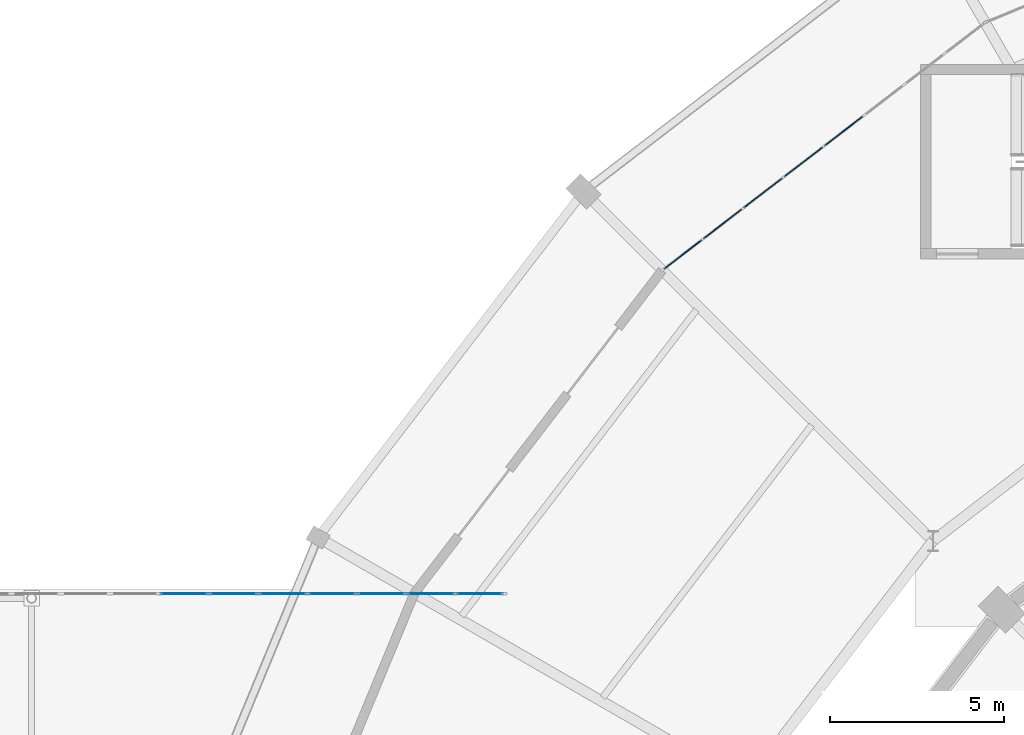
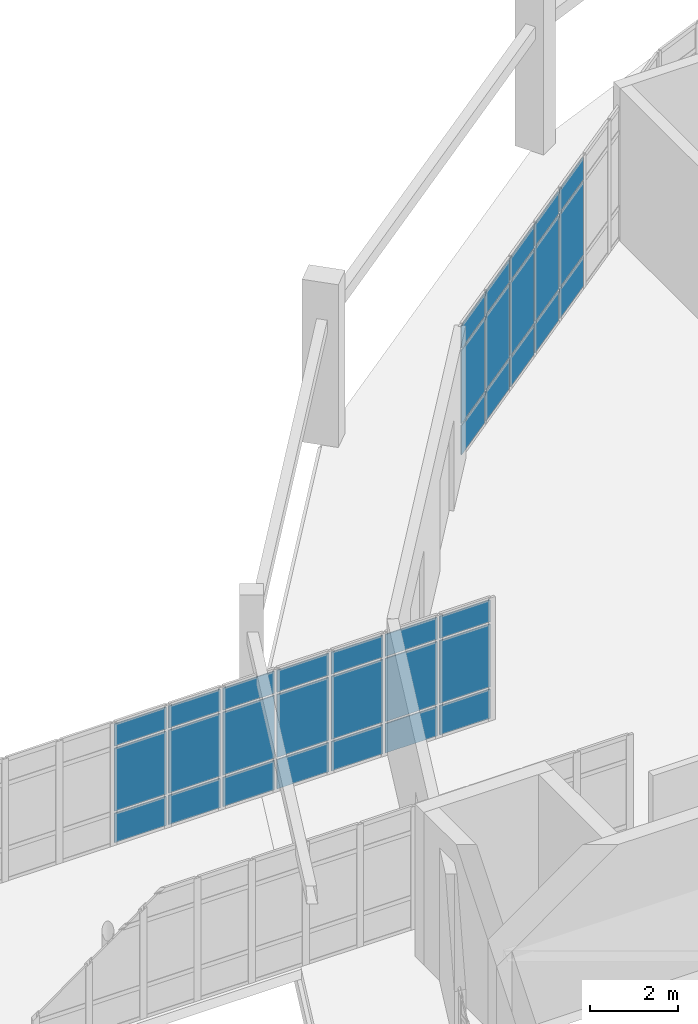
# One storey, part 86 of 122: 36 plates, 2 elements without a shape of their own.
"""IFC4 building model written with IfcOpenShell, lengths in metres."""

from ifc_helpers import new_model, si_unit, direction, frame, origin, origin_2d, place, context, subcontext, project, spatial, rectangle, extrude, material, layer, layer_set, type_object, element, aggregate, save


model = new_model("IFC4")

# Units and contexts
model_context = context("Model", 3, precision=1e-05, world=origin(), true_north=direction((0.0, 1.0)))
body_context = subcontext(model_context, "Body", "Model", "MODEL_VIEW")
ifc_project = project(units=[si_unit("LENGTHUNIT", "METRE"), si_unit("AREAUNIT", "SQUARE_METRE"), si_unit("VOLUMEUNIT", "CUBIC_METRE"), si_unit("PLANEANGLEUNIT", "RADIAN"), si_unit("MASSUNIT", "GRAM", prefix="KILO")], contexts=[model_context])

# Site, building, storey
site_placement = place(None, origin())
site = spatial("IfcSite", under=ifc_project, at=site_placement, CompositionType="ELEMENT")
building_placement = place(site_placement, origin())
building = spatial("IfcBuilding", under=site, at=building_placement, Name="Sohan Crest Arena", CompositionType="ELEMENT")
storey_placement = place(building_placement, origin())
storey = spatial("IfcBuildingStorey", under=building, at=storey_placement, Name="L00", CompositionType="ELEMENT", Elevation=0.0)

# Curtain wall, plates
ifc_material_1 = material(Name="Thermally broken anodised aluminium", Category="aluminium")
ifc_layer_1 = layer(ifc_material_1, 0.179931640625, Name="Thermally broken anodised aluminium")
ifc_layer_set_1 = layer_set([ifc_layer_1], Name="Thermally broken anodised aluminium")
curtain_wall_type_1 = type_object("IfcCurtainWallType", Name="ARC-CW01", PredefinedType="NOTDEFINED", material=ifc_layer_set_1)
curtain_wall_1_placement = place(storey_placement, origin())
curtain_wall_1 = element("IfcCurtainWall", 1, at=curtain_wall_1_placement, inside=storey, type_object=curtain_wall_type_1, Name="Unitised curtain wall CW-003", PredefinedType="NOTDEFINED")
ifc_material_2 = material(Name="Low-E double-glazed insulated glass", Category="glass")
ifc_layer_2 = layer(ifc_material_2, 0.028076171875, Name="Low-E double-glazed insulated glass")
ifc_layer_set_2 = layer_set([ifc_layer_2], Name="Low-E double-glazed insulated glass")
plate_type = type_object("IfcPlateType", Name="ARC-CNP01", PredefinedType="CURTAIN_PANEL", material=ifc_layer_set_2)
plate_1_placement = place(storey_placement, frame((71.540771484375, 113.68310546875, 0.06005859375), z_axis=(0.0, 0.0, 1.0), x_axis=(-0.79332277167, -0.608801264741, 0.0)))
plate_1 = element("IfcPlate", 2, at=plate_1_placement, type_object=plate_type, Name="CW-003 panel 4.1", PredefinedType="CURTAIN_PANEL", context=body_context, shape_type="SweptSolid", body=[
    extrude(rectangle(XDim=1.40185546875, YDim=0.028076171875, at=origin_2d()), origin(), (0.0, 0.0, 1.0), 0.81005859375),
])
plate_2_placement = place(storey_placement, frame((71.540771484375, 113.68310546875, 0.929931640625), z_axis=(0.0, 0.0, 1.0), x_axis=(-0.79332277167, -0.608801264741, 0.0)))
plate_2 = element("IfcPlate", 3, at=plate_2_placement, type_object=plate_type, Name="CW-003 panel 4.2", PredefinedType="CURTAIN_PANEL", context=body_context, shape_type="SweptSolid", body=[
    extrude(rectangle(XDim=1.40185546875, YDim=0.028076171875, at=origin_2d()), origin(), (0.0, 0.0, 1.0), 2.02001953125),
])
plate_3_placement = place(storey_placement, frame((71.540771484375, 113.68310546875, 3.009765625), z_axis=(0.0, 0.0, 1.0), x_axis=(-0.79332277167, -0.608801264741, 0.0)))
plate_3 = element("IfcPlate", 4, at=plate_3_placement, type_object=plate_type, Name="CW-003 panel 4.3", PredefinedType="CURTAIN_PANEL", context=body_context, shape_type="SweptSolid", body=[
    extrude(rectangle(XDim=1.40185546875, YDim=0.028076171875, at=origin_2d()), origin(), (0.0, 0.0, 1.0), 0.610107421875),
])
plate_4_placement = place(storey_placement, frame((70.381103515625, 112.79296875, 0.06005859375), z_axis=(0.0, 0.0, 1.0), x_axis=(-0.79332277167, -0.608801264741, 0.0)))
plate_4 = element("IfcPlate", 5, at=plate_4_placement, type_object=plate_type, Name="CW-003 panel 5.1", PredefinedType="CURTAIN_PANEL", context=body_context, shape_type="SweptSolid", body=[
    extrude(rectangle(XDim=1.40185546875, YDim=0.028076171875, at=origin_2d()), origin(), (0.0, 0.0, 1.0), 0.81005859375),
])
plate_5_placement = place(storey_placement, frame((70.381103515625, 112.79296875, 0.929931640625), z_axis=(0.0, 0.0, 1.0), x_axis=(-0.79332277167, -0.608801264741, 0.0)))
plate_5 = element("IfcPlate", 6, at=plate_5_placement, type_object=plate_type, Name="CW-003 panel 5.2", PredefinedType="CURTAIN_PANEL", context=body_context, shape_type="SweptSolid", body=[
    extrude(rectangle(XDim=1.40185546875, YDim=0.028076171875, at=origin_2d()), origin(), (0.0, 0.0, 1.0), 2.02001953125),
])
plate_6_placement = place(storey_placement, frame((70.381103515625, 112.79296875, 3.009765625), z_axis=(0.0, 0.0, 1.0), x_axis=(-0.79332277167, -0.608801264741, 0.0)))
plate_6 = element("IfcPlate", 7, at=plate_6_placement, type_object=plate_type, Name="CW-003 panel 5.3", PredefinedType="CURTAIN_PANEL", context=body_context, shape_type="SweptSolid", body=[
    extrude(rectangle(XDim=1.40185546875, YDim=0.028076171875, at=origin_2d()), origin(), (0.0, 0.0, 1.0), 0.610107421875),
])
plate_7_placement = place(storey_placement, frame((69.221435546875, 111.903076171875, 0.06005859375), z_axis=(0.0, 0.0, 1.0), x_axis=(-0.79332277167, -0.608801264741, 0.0)))
plate_7 = element("IfcPlate", 8, at=plate_7_placement, type_object=plate_type, Name="CW-003 panel 6.1", PredefinedType="CURTAIN_PANEL", context=body_context, shape_type="SweptSolid", body=[
    extrude(rectangle(XDim=1.40185546875, YDim=0.028076171875, at=origin_2d()), origin(), (0.0, 0.0, 1.0), 0.81005859375),
])
plate_8_placement = place(storey_placement, frame((69.221435546875, 111.903076171875, 0.929931640625), z_axis=(0.0, 0.0, 1.0), x_axis=(-0.79332277167, -0.608801264741, 0.0)))
plate_8 = element("IfcPlate", 9, at=plate_8_placement, type_object=plate_type, Name="CW-003 panel 6.2", PredefinedType="CURTAIN_PANEL", context=body_context, shape_type="SweptSolid", body=[
    extrude(rectangle(XDim=1.40185546875, YDim=0.028076171875, at=origin_2d()), origin(), (0.0, 0.0, 1.0), 2.02001953125),
])
plate_9_placement = place(storey_placement, frame((69.221435546875, 111.903076171875, 3.009765625), z_axis=(0.0, 0.0, 1.0), x_axis=(-0.79332277167, -0.608801264741, 0.0)))
plate_9 = element("IfcPlate", 10, at=plate_9_placement, type_object=plate_type, Name="CW-003 panel 6.3", PredefinedType="CURTAIN_PANEL", context=body_context, shape_type="SweptSolid", body=[
    extrude(rectangle(XDim=1.40185546875, YDim=0.028076171875, at=origin_2d()), origin(), (0.0, 0.0, 1.0), 0.610107421875),
])
plate_10_placement = place(storey_placement, frame((68.0615234375, 111.012939453125, 0.06005859375), z_axis=(0.0, 0.0, 1.0), x_axis=(-0.79332277167, -0.608801264741, 0.0)))
plate_10 = element("IfcPlate", 11, at=plate_10_placement, type_object=plate_type, Name="CW-003 panel 7.1", PredefinedType="CURTAIN_PANEL", context=body_context, shape_type="SweptSolid", body=[
    extrude(rectangle(XDim=1.40185546875, YDim=0.028076171875, at=origin_2d()), origin(), (0.0, 0.0, 1.0), 0.81005859375),
])
plate_11_placement = place(storey_placement, frame((68.0615234375, 111.012939453125, 0.929931640625), z_axis=(0.0, 0.0, 1.0), x_axis=(-0.79332277167, -0.608801264741, 0.0)))
plate_11 = element("IfcPlate", 12, at=plate_11_placement, type_object=plate_type, Name="CW-003 panel 7.2", PredefinedType="CURTAIN_PANEL", context=body_context, shape_type="SweptSolid", body=[
    extrude(rectangle(XDim=1.40185546875, YDim=0.028076171875, at=origin_2d()), origin(), (0.0, 0.0, 1.0), 2.02001953125),
])
plate_12_placement = place(storey_placement, frame((68.0615234375, 111.012939453125, 3.009765625), z_axis=(0.0, 0.0, 1.0), x_axis=(-0.79332277167, -0.608801264741, 0.0)))
plate_12 = element("IfcPlate", 13, at=plate_12_placement, type_object=plate_type, Name="CW-003 panel 7.3", PredefinedType="CURTAIN_PANEL", context=body_context, shape_type="SweptSolid", body=[
    extrude(rectangle(XDim=1.40185546875, YDim=0.028076171875, at=origin_2d()), origin(), (0.0, 0.0, 1.0), 0.610107421875),
])
plate_13_placement = place(storey_placement, frame((66.913818359375, 110.132080078125, 0.06005859375), z_axis=(0.0, 0.0, 1.0), x_axis=(-0.79332277167, -0.608801264741, 0.0)))
plate_13 = element("IfcPlate", 14, at=plate_13_placement, type_object=plate_type, Name="CW-003 panel 8.1", PredefinedType="CURTAIN_PANEL", context=body_context, shape_type="SweptSolid", body=[
    extrude(rectangle(XDim=1.371826171875, YDim=0.028076171875, at=origin_2d()), origin(), (0.0, 0.0, 1.0), 0.81005859375),
])
plate_14_placement = place(storey_placement, frame((66.913818359375, 110.132080078125, 0.929931640625), z_axis=(0.0, 0.0, 1.0), x_axis=(-0.79332277167, -0.608801264741, 0.0)))
plate_14 = element("IfcPlate", 15, at=plate_14_placement, type_object=plate_type, Name="CW-003 panel 8.2", PredefinedType="CURTAIN_PANEL", context=body_context, shape_type="SweptSolid", body=[
    extrude(rectangle(XDim=1.371826171875, YDim=0.028076171875, at=origin_2d()), origin(), (0.0, 0.0, 1.0), 2.02001953125),
])
plate_15_placement = place(storey_placement, frame((66.913818359375, 110.132080078125, 3.009765625), z_axis=(0.0, 0.0, 1.0), x_axis=(-0.79332277167, -0.608801264741, 0.0)))
plate_15 = element("IfcPlate", 16, at=plate_15_placement, type_object=plate_type, Name="CW-003 panel 8.3", PredefinedType="CURTAIN_PANEL", context=body_context, shape_type="SweptSolid", body=[
    extrude(rectangle(XDim=1.371826171875, YDim=0.028076171875, at=origin_2d()), origin(), (0.0, 0.0, 1.0), 0.610107421875),
])
aggregate(curtain_wall_1, [plate_1, plate_2, plate_3, plate_4, plate_5, plate_6, plate_7, plate_8, plate_9, plate_10, plate_11, plate_12, plate_13, plate_14, plate_15])

ifc_layer_3 = layer(ifc_material_1, 0.18994140625, Name="Thermally broken anodised aluminium")
ifc_layer_set_3 = layer_set([ifc_layer_3], Name="Thermally broken anodised aluminium")
curtain_wall_type_2 = type_object("IfcCurtainWallType", Name="ARC-CW05", PredefinedType="NOTDEFINED", material=ifc_layer_set_3)
curtain_wall_2_placement = place(storey_placement, origin())
curtain_wall_2 = element("IfcCurtainWall", 17, at=curtain_wall_2_placement, inside=storey, type_object=curtain_wall_type_2, Name="Unitised curtain wall CW-232", PredefinedType="NOTDEFINED")
plate_16_placement = place(storey_placement, frame((52.581787109375, 100.3798828125, 0.06005859375), z_axis=(0.0, 0.0, 1.0), x_axis=(1.0, 0.0, 0.0)))
plate_16 = element("IfcPlate", 18, at=plate_16_placement, type_object=plate_type, Name="CW-232 panel 5.1", PredefinedType="CURTAIN_PANEL", context=body_context, shape_type="SweptSolid", body=[
    extrude(rectangle(XDim=1.353271484375, YDim=0.028076171875, at=origin_2d()), origin(), (0.0, 0.0, 1.0), 0.81005859375),
])
plate_17_placement = place(storey_placement, frame((52.581787109375, 100.3798828125, 0.93017578125), z_axis=(0.0, 0.0, 1.0), x_axis=(1.0, 0.0, 0.0)))
plate_17 = element("IfcPlate", 19, at=plate_17_placement, type_object=plate_type, Name="CW-232 panel 5.2", PredefinedType="CURTAIN_PANEL", context=body_context, shape_type="SweptSolid", body=[
    extrude(rectangle(XDim=1.353271484375, YDim=0.028076171875, at=origin_2d()), origin(), (0.0, 0.0, 1.0), 1.739990234375),
])
plate_18_placement = place(storey_placement, frame((52.581787109375, 100.3798828125, 2.72998046875), z_axis=(0.0, 0.0, 1.0), x_axis=(1.0, 0.0, 0.0)))
plate_18 = element("IfcPlate", 20, at=plate_18_placement, type_object=plate_type, Name="CW-232 panel 5.3", PredefinedType="CURTAIN_PANEL", context=body_context, shape_type="SweptSolid", body=[
    extrude(rectangle(XDim=1.353271484375, YDim=0.028076171875, at=origin_2d()), origin(), (0.0, 0.0, 1.0), 0.610107421875),
])
plate_19_placement = place(storey_placement, frame((54.0, 100.3798828125, 0.06005859375), z_axis=(0.0, 0.0, 1.0), x_axis=(1.0, 0.0, 0.0)))
plate_19 = element("IfcPlate", 21, at=plate_19_placement, type_object=plate_type, Name="CW-232 panel 6.1", PredefinedType="CURTAIN_PANEL", context=body_context, shape_type="SweptSolid", body=[
    extrude(rectangle(XDim=1.353271484375, YDim=0.028076171875, at=origin_2d()), origin(), (0.0, 0.0, 1.0), 0.81005859375),
])
plate_20_placement = place(storey_placement, frame((54.0, 100.3798828125, 0.93017578125), z_axis=(0.0, 0.0, 1.0), x_axis=(1.0, 0.0, 0.0)))
plate_20 = element("IfcPlate", 22, at=plate_20_placement, type_object=plate_type, Name="CW-232 panel 6.2", PredefinedType="CURTAIN_PANEL", context=body_context, shape_type="SweptSolid", body=[
    extrude(rectangle(XDim=1.353271484375, YDim=0.028076171875, at=origin_2d()), origin(), (0.0, 0.0, 1.0), 1.739990234375),
])
plate_21_placement = place(storey_placement, frame((54.0, 100.3798828125, 2.72998046875), z_axis=(0.0, 0.0, 1.0), x_axis=(1.0, 0.0, 0.0)))
plate_21 = element("IfcPlate", 23, at=plate_21_placement, type_object=plate_type, Name="CW-232 panel 6.3", PredefinedType="CURTAIN_PANEL", context=body_context, shape_type="SweptSolid", body=[
    extrude(rectangle(XDim=1.353271484375, YDim=0.028076171875, at=origin_2d()), origin(), (0.0, 0.0, 1.0), 0.610107421875),
])
plate_22_placement = place(storey_placement, frame((55.418212890625, 100.3798828125, 0.06005859375), z_axis=(0.0, 0.0, 1.0), x_axis=(1.0, 0.0, 0.0)))
plate_22 = element("IfcPlate", 24, at=plate_22_placement, type_object=plate_type, Name="CW-232 panel 7.1", PredefinedType="CURTAIN_PANEL", context=body_context, shape_type="SweptSolid", body=[
    extrude(rectangle(XDim=1.353271484375, YDim=0.028076171875, at=origin_2d()), origin(), (0.0, 0.0, 1.0), 0.81005859375),
])
plate_23_placement = place(storey_placement, frame((55.418212890625, 100.3798828125, 0.93017578125), z_axis=(0.0, 0.0, 1.0), x_axis=(1.0, 0.0, 0.0)))
plate_23 = element("IfcPlate", 25, at=plate_23_placement, type_object=plate_type, Name="CW-232 panel 7.2", PredefinedType="CURTAIN_PANEL", context=body_context, shape_type="SweptSolid", body=[
    extrude(rectangle(XDim=1.353271484375, YDim=0.028076171875, at=origin_2d()), origin(), (0.0, 0.0, 1.0), 1.739990234375),
])
plate_24_placement = place(storey_placement, frame((55.418212890625, 100.3798828125, 2.72998046875), z_axis=(0.0, 0.0, 1.0), x_axis=(1.0, 0.0, 0.0)))
plate_24 = element("IfcPlate", 26, at=plate_24_placement, type_object=plate_type, Name="CW-232 panel 7.3", PredefinedType="CURTAIN_PANEL", context=body_context, shape_type="SweptSolid", body=[
    extrude(rectangle(XDim=1.353271484375, YDim=0.028076171875, at=origin_2d()), origin(), (0.0, 0.0, 1.0), 0.610107421875),
])
plate_25_placement = place(storey_placement, frame((56.83642578125, 100.3798828125, 0.06005859375), z_axis=(0.0, 0.0, 1.0), x_axis=(1.0, 0.0, 0.0)))
plate_25 = element("IfcPlate", 27, at=plate_25_placement, type_object=plate_type, Name="CW-232 panel 8.1", PredefinedType="CURTAIN_PANEL", context=body_context, shape_type="SweptSolid", body=[
    extrude(rectangle(XDim=1.353271484375, YDim=0.028076171875, at=origin_2d()), origin(), (0.0, 0.0, 1.0), 0.81005859375),
])
plate_26_placement = place(storey_placement, frame((56.83642578125, 100.3798828125, 0.93017578125), z_axis=(0.0, 0.0, 1.0), x_axis=(1.0, 0.0, 0.0)))
plate_26 = element("IfcPlate", 28, at=plate_26_placement, type_object=plate_type, Name="CW-232 panel 8.2", PredefinedType="CURTAIN_PANEL", context=body_context, shape_type="SweptSolid", body=[
    extrude(rectangle(XDim=1.353271484375, YDim=0.028076171875, at=origin_2d()), origin(), (0.0, 0.0, 1.0), 1.739990234375),
])
plate_27_placement = place(storey_placement, frame((56.83642578125, 100.3798828125, 2.72998046875), z_axis=(0.0, 0.0, 1.0), x_axis=(1.0, 0.0, 0.0)))
plate_27 = element("IfcPlate", 29, at=plate_27_placement, type_object=plate_type, Name="CW-232 panel 8.3", PredefinedType="CURTAIN_PANEL", context=body_context, shape_type="SweptSolid", body=[
    extrude(rectangle(XDim=1.353271484375, YDim=0.028076171875, at=origin_2d()), origin(), (0.0, 0.0, 1.0), 0.610107421875),
])
plate_28_placement = place(storey_placement, frame((58.254638671875, 100.3798828125, 0.06005859375), z_axis=(0.0, 0.0, 1.0), x_axis=(1.0, 0.0, 0.0)))
plate_28 = element("IfcPlate", 30, at=plate_28_placement, type_object=plate_type, Name="CW-232 panel 9.1", PredefinedType="CURTAIN_PANEL", context=body_context, shape_type="SweptSolid", body=[
    extrude(rectangle(XDim=1.353271484375, YDim=0.028076171875, at=origin_2d()), origin(), (0.0, 0.0, 1.0), 0.81005859375),
])
plate_29_placement = place(storey_placement, frame((58.254638671875, 100.3798828125, 0.93017578125), z_axis=(0.0, 0.0, 1.0), x_axis=(1.0, 0.0, 0.0)))
plate_29 = element("IfcPlate", 31, at=plate_29_placement, type_object=plate_type, Name="CW-232 panel 9.2", PredefinedType="CURTAIN_PANEL", context=body_context, shape_type="SweptSolid", body=[
    extrude(rectangle(XDim=1.353271484375, YDim=0.028076171875, at=origin_2d()), origin(), (0.0, 0.0, 1.0), 1.739990234375),
])
plate_30_placement = place(storey_placement, frame((58.254638671875, 100.3798828125, 2.72998046875), z_axis=(0.0, 0.0, 1.0), x_axis=(1.0, 0.0, 0.0)))
plate_30 = element("IfcPlate", 32, at=plate_30_placement, type_object=plate_type, Name="CW-232 panel 9.3", PredefinedType="CURTAIN_PANEL", context=body_context, shape_type="SweptSolid", body=[
    extrude(rectangle(XDim=1.353271484375, YDim=0.028076171875, at=origin_2d()), origin(), (0.0, 0.0, 1.0), 0.610107421875),
])
plate_31_placement = place(storey_placement, frame((59.672607421875, 100.3798828125, 0.06005859375), z_axis=(0.0, 0.0, 1.0), x_axis=(1.0, 0.0, 0.0)))
plate_31 = element("IfcPlate", 33, at=plate_31_placement, type_object=plate_type, Name="CW-232 panel 10.1", PredefinedType="CURTAIN_PANEL", context=body_context, shape_type="SweptSolid", body=[
    extrude(rectangle(XDim=1.353271484375, YDim=0.028076171875, at=origin_2d()), origin(), (0.0, 0.0, 1.0), 0.81005859375),
])
plate_32_placement = place(storey_placement, frame((59.672607421875, 100.3798828125, 0.93017578125), z_axis=(0.0, 0.0, 1.0), x_axis=(1.0, 0.0, 0.0)))
plate_32 = element("IfcPlate", 34, at=plate_32_placement, type_object=plate_type, Name="CW-232 panel 10.2", PredefinedType="CURTAIN_PANEL", context=body_context, shape_type="SweptSolid", body=[
    extrude(rectangle(XDim=1.353271484375, YDim=0.028076171875, at=origin_2d()), origin(), (0.0, 0.0, 1.0), 1.739990234375),
])
plate_33_placement = place(storey_placement, frame((59.672607421875, 100.3798828125, 2.72998046875), z_axis=(0.0, 0.0, 1.0), x_axis=(1.0, 0.0, 0.0)))
plate_33 = element("IfcPlate", 35, at=plate_33_placement, type_object=plate_type, Name="CW-232 panel 10.3", PredefinedType="CURTAIN_PANEL", context=body_context, shape_type="SweptSolid", body=[
    extrude(rectangle(XDim=1.353271484375, YDim=0.028076171875, at=origin_2d()), origin(), (0.0, 0.0, 1.0), 0.610107421875),
])
plate_34_placement = place(storey_placement, frame((61.07470703125, 100.3798828125, 0.06005859375), z_axis=(0.0, 0.0, 1.0), x_axis=(1.0, 0.0, 0.0)))
plate_34 = element("IfcPlate", 36, at=plate_34_placement, type_object=plate_type, Name="CW-232 panel 11.1", PredefinedType="CURTAIN_PANEL", context=body_context, shape_type="SweptSolid", body=[
    extrude(rectangle(XDim=1.32080078125, YDim=0.028076171875, at=origin_2d()), origin(), (0.0, 0.0, 1.0), 0.81005859375),
])
plate_35_placement = place(storey_placement, frame((61.07470703125, 100.3798828125, 0.93017578125), z_axis=(0.0, 0.0, 1.0), x_axis=(1.0, 0.0, 0.0)))
plate_35 = element("IfcPlate", 37, at=plate_35_placement, type_object=plate_type, Name="CW-232 panel 11.2", PredefinedType="CURTAIN_PANEL", context=body_context, shape_type="SweptSolid", body=[
    extrude(rectangle(XDim=1.32080078125, YDim=0.028076171875, at=origin_2d()), origin(), (0.0, 0.0, 1.0), 1.739990234375),
])
plate_36_placement = place(storey_placement, frame((61.07470703125, 100.3798828125, 2.72998046875), z_axis=(0.0, 0.0, 1.0), x_axis=(1.0, 0.0, 0.0)))
plate_36 = element("IfcPlate", 38, at=plate_36_placement, type_object=plate_type, Name="CW-232 panel 11.3", PredefinedType="CURTAIN_PANEL", context=body_context, shape_type="SweptSolid", body=[
    extrude(rectangle(XDim=1.32080078125, YDim=0.028076171875, at=origin_2d()), origin(), (0.0, 0.0, 1.0), 0.610107421875),
])
aggregate(curtain_wall_2, [plate_16, plate_17, plate_18, plate_19, plate_20, plate_21, plate_22, plate_23, plate_24, plate_25, plate_26, plate_27, plate_28, plate_29, plate_30, plate_31, plate_32, plate_33, plate_34, plate_35, plate_36])

save(model, "model.ifc")
